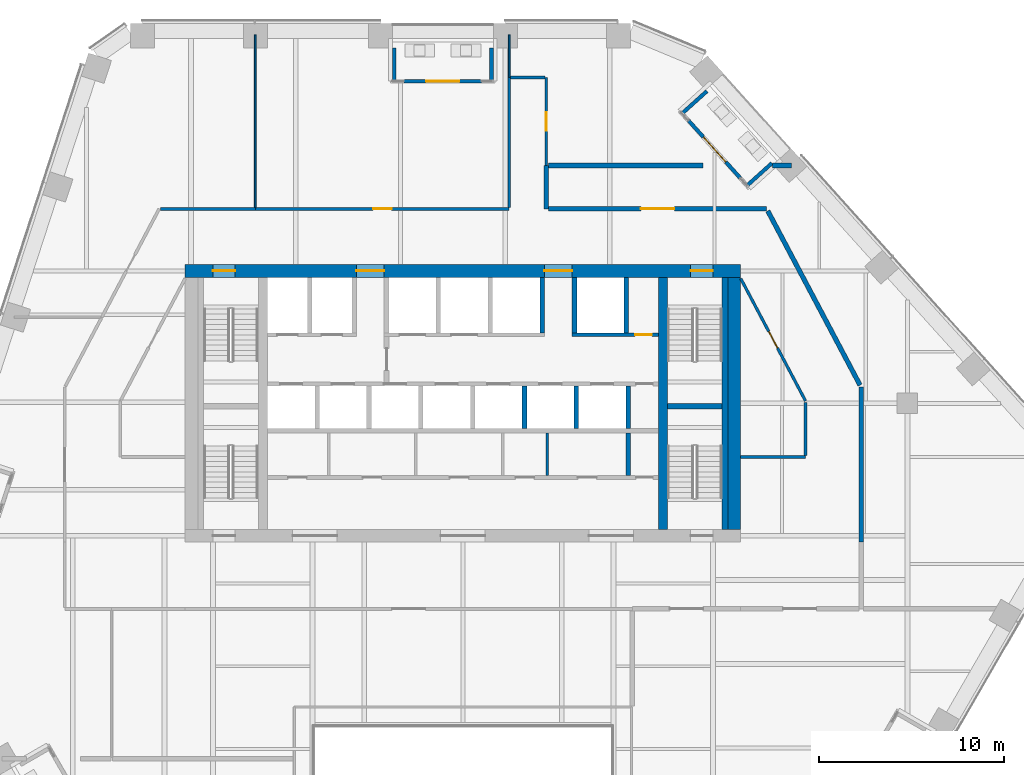
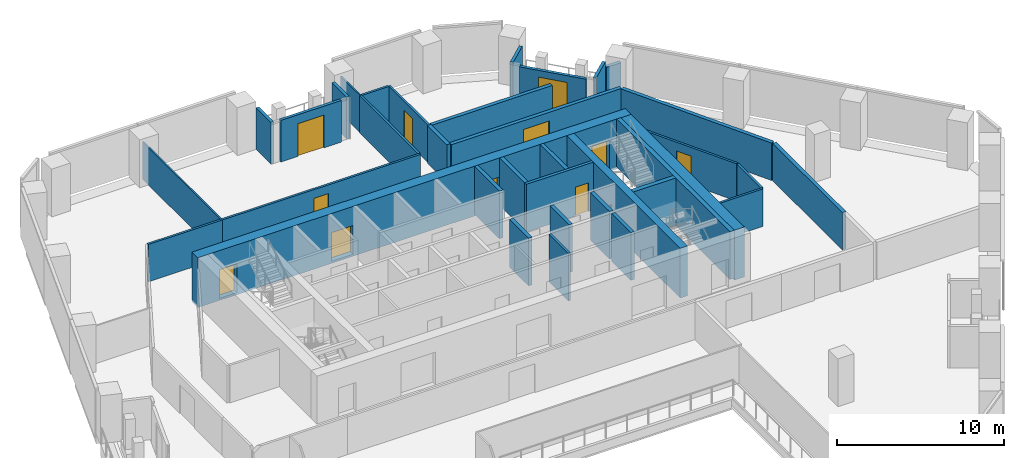
# One storey, part 20 of 25: 36 walls, 11 doors, 11 openings.
"""IFC4 building model written with IfcOpenShell, lengths in metres."""

from ifc_helpers import new_model, si_unit, direction, frame, frame_2d, origin, place, context, subcontext, project, spatial, rectangle, extrude, material, layer, layer_set, type_object, element, fill, save


model = new_model("IFC4")

# Units and contexts
model_context = context("Model", 3, precision=1e-05, world=origin(), true_north=direction((0.0, 1.0)))
body_context = subcontext(model_context, "Body", "Model", "MODEL_VIEW")
ifc_project = project(units=[si_unit("LENGTHUNIT", "METRE"), si_unit("AREAUNIT", "SQUARE_METRE"), si_unit("VOLUMEUNIT", "CUBIC_METRE"), si_unit("PLANEANGLEUNIT", "RADIAN"), si_unit("MASSUNIT", "GRAM", prefix="KILO")], contexts=[model_context])

# Site, building, storey
site_placement = place(None, origin())
site = spatial("IfcSite", under=ifc_project, at=site_placement, CompositionType="ELEMENT")
building_placement = place(site_placement, origin())
building = spatial("IfcBuilding", under=site, at=building_placement, Name="Isthmus Gate Tower", CompositionType="ELEMENT")
storey_placement = place(building_placement, frame((0.0, 0.0, 174.449951171875)))
storey = spatial("IfcBuildingStorey", under=building, at=storey_placement, Name="L43", CompositionType="ELEMENT", Elevation=174.449951171875)

# Walls
ifc_material_1 = material(Name="Double-leaf acoustic stud wall, fire-rated", Category="gypsum")
ifc_layer_1 = layer(ifc_material_1, 0.25)
ifc_layer_set_1 = layer_set([ifc_layer_1], Name="ACOUSTIC WALL 250 60 MIN")
wall_type_1 = type_object("IfcWallType", Name="ACOUSTIC WALL 250 60 MIN", PredefinedType="PARTITIONING", material=ifc_layer_set_1)
wall_1_placement = place(storey_placement, frame((4.5, 20.341064453125, 0.0), z_axis=(0.0, 0.0, 1.0), x_axis=(0.0, -1.0, 0.0)))
element("IfcWall", 1, at=wall_1_placement, inside=storey, type_object=wall_type_1, Name="L43 Acoustic Wall 250 60 Min", PredefinedType="PARTITIONING", context=body_context, shape_type="SweptSolid", body=[
    extrude(rectangle(XDim=2.341064453125, YDim=0.25, at=frame_2d((1.17041015625, 0.0))), origin(), (0.0, 0.0, 1.0), 2.7412109375),
])
wall_2_placement = place(storey_placement, frame((21.5, 8.373046875, 0.0), z_axis=(0.0, 0.0, 1.0), x_axis=(0.0, -1.0, 0.0)))
element("IfcWall", 2, at=wall_2_placement, inside=storey, type_object=wall_type_1, Name="L43 Acoustic Wall 250 60 Min", PredefinedType="PARTITIONING", context=body_context, shape_type="SweptSolid", body=[
    extrude(rectangle(XDim=8.373046875, YDim=0.25, at=frame_2d((4.1865234375, 0.0))), origin(), (0.0, 0.0, 1.0), 2.7412109375),
])
wall_3_placement = place(storey_placement, frame((4.625, 20.341064453125, 0.0), z_axis=(0.0, 0.0, 1.0), x_axis=(1.0, 0.0, 0.0)))
element("IfcWall", 3, at=wall_3_placement, inside=storey, type_object=wall_type_1, Name="L43 Acoustic Wall 250 60 Min", PredefinedType="PARTITIONING", context=body_context, shape_type="SweptSolid", body=[
    extrude(rectangle(XDim=8.338623046875, YDim=0.25, at=frame_2d((4.16943359375, 0.0))), origin(), (0.0, 0.0, 1.0), 2.7412109375),
])
wall_4_placement = place(storey_placement, frame((16.722412109375, 20.341064453125, 0.0), z_axis=(0.0, 0.0, 1.0), x_axis=(1.0, 0.0, 0.0)))
element("IfcWall", 4, at=wall_4_placement, inside=storey, type_object=wall_type_1, Name="L43 Acoustic Wall 250 60 Min", PredefinedType="PARTITIONING", context=body_context, shape_type="SweptSolid", body=[
    extrude(rectangle(XDim=1.008544921875, YDim=0.25, at=frame_2d((0.50439453125, 0.0))), origin(), (0.0, 0.0, 1.0), 2.7412109375),
])

# Wall, opening, door
wall_5_placement = place(storey_placement, frame((4.625, 18.0, 0.0), z_axis=(0.0, 0.0, 1.0), x_axis=(1.0, 0.0, 0.0)))
wall_5 = element("IfcWall", 5, at=wall_5_placement, inside=storey, type_object=wall_type_1, Name="L43 Acoustic Wall 250 60 Min", PredefinedType="PARTITIONING", context=body_context, shape_type="SweptSolid", body=[
    extrude(rectangle(XDim=11.778076171875, YDim=0.25, at=frame_2d((5.88916015625, 0.0))), origin(), (0.0, 0.0, 1.0), 2.7412109375),
])
opening_1_placement = place(wall_5_placement, frame((4.989013671875, 0.0, 0.0)))
opening_1 = element("IfcOpeningElement", 6, at=opening_1_placement, cuts=wall_5, Name="Opening DT-T4A-06", PredefinedType="OPENING", context=body_context, shape_type="SweptSolid", body=[
    extrude(rectangle(XDim=1.800048828125, YDim=2.10009765625, at=frame_2d((0.89990234375, 1.050048828125))), frame((0.0, 0.135009765625, 0.0), z_axis=(0.0, -1.0, 0.0), x_axis=(1.0, 0.0, 0.0)), (0.0, 0.0, 1.0), 0.27001953125),
])
ifc_material_2 = material(Name="Solid core timber door leaf, fire-rated", Category="wood")
door_type_1 = type_object("IfcDoorType", Name="FIRE DOOR ACOUSTIC ROOM 1800 X 2100 60 MIN", OperationType="DOUBLE_DOOR_DOUBLE_SWING", PredefinedType="DOOR", material=ifc_material_2)
door_1_placement = place(opening_1_placement, origin())
door_1 = element("IfcDoor", 7, at=door_1_placement, inside=storey, type_object=door_type_1, Name="L43 room door", OperationType="DOUBLE_DOOR_DOUBLE_SWING", OverallHeight=2.10009765625, OverallWidth=1.800048828125, PredefinedType="DOOR", context=body_context, shape_type="SweptSolid", body=[
    extrude(rectangle(XDim=1.800048828125, YDim=2.10009765625, at=frame_2d((0.89990234375, 1.050048828125))), frame((0.0, 0.02490234375, 0.0), z_axis=(0.0, -1.0, 0.0), x_axis=(1.0, 0.0, 0.0)), (0.0, 0.0, 1.0), 0.050048828125),
])
fill(opening_1, door_1)

# Wall
wall_6_placement = place(storey_placement, frame((16.46142578125, 17.889404296875, 0.0), z_axis=(0.0, 0.0, 1.0), x_axis=(0.467911961302, -0.883775082513, 0.0)))
element("IfcWall", 8, at=wall_6_placement, inside=storey, type_object=wall_type_1, Name="L43 Acoustic Wall 250 60 Min", PredefinedType="PARTITIONING", context=body_context, shape_type="SweptSolid", body=[
    extrude(rectangle(XDim=10.64306640625, YDim=0.25, at=frame_2d((5.321533203125, 0.0))), origin(), (0.0, 0.0, 1.0), 2.7412109375),
])

# Wall, opening, door
ifc_material_3 = material(Name="Gypsum board on steel studs, fire-rated", Category="steel")
ifc_layer_2 = layer(ifc_material_3, 0.14990234375)
ifc_layer_set_2 = layer_set([ifc_layer_2], Name="CORRIDOR WALL 150 60 MIN")
wall_type_2 = type_object("IfcWallType", Name="CORRIDOR WALL 150 60 MIN", PredefinedType="PARTITIONING", material=ifc_layer_set_2)
wall_7_placement = place(storey_placement, frame((4.5, 25.10009765625, 0.0), z_axis=(0.0, 0.0, 1.0), x_axis=(0.0, -1.0, 0.0)))
wall_7 = element("IfcWall", 9, at=wall_7_placement, inside=storey, type_object=wall_type_2, Name="L43 Corridor Wall 150 60 Min", PredefinedType="PARTITIONING", context=body_context, shape_type="SweptSolid", body=[
    extrude(rectangle(XDim=4.759033203125, YDim=0.14990234375, at=frame_2d((2.37939453125, 0.0))), origin(), (0.0, 0.0, 1.0), 2.7412109375),
])
opening_2_placement = place(wall_7_placement, frame((1.87939453125, 0.0, 0.0)))
opening_2 = element("IfcOpeningElement", 10, at=opening_2_placement, cuts=wall_7, Name="Opening DT-T4A-02", PredefinedType="OPENING", context=body_context, shape_type="SweptSolid", body=[
    extrude(rectangle(XDim=1.0, YDim=2.10009765625, at=frame_2d((0.5, 1.050048828125))), frame((0.0, 0.0849609375, 0.0), z_axis=(0.0, -1.0, 0.0), x_axis=(1.0, 0.0, 0.0)), (0.0, 0.0, 1.0), 0.169921875),
])
ifc_material_4 = material(Name="Solid core timber door leaf, fire-rated", Category="wood")
door_type_2 = type_object("IfcDoorType", Name="FIRE DOOR ROOM 1000 X 2100 60 MIN", OperationType="SINGLE_SWING_LEFT", PredefinedType="DOOR", material=ifc_material_4)
door_2_placement = place(opening_2_placement, origin())
door_2 = element("IfcDoor", 11, at=door_2_placement, inside=storey, type_object=door_type_2, Name="L43 room door", OperationType="SINGLE_SWING_RIGHT", OverallHeight=2.10009765625, OverallWidth=1.0, PredefinedType="DOOR", context=body_context, shape_type="SweptSolid", body=[
    extrude(rectangle(XDim=1.0, YDim=2.10009765625, at=frame_2d((0.5, 1.050048828125))), frame((0.0, 0.02490234375, 0.0), z_axis=(0.0, -1.0, 0.0), x_axis=(1.0, 0.0, 0.0)), (0.0, 0.0, 1.0), 0.050048828125),
])
fill(opening_2, door_2)

wall_8_placement = place(storey_placement, frame((18.5, 7.626953125, 0.0), z_axis=(0.0, 0.0, 1.0), x_axis=(-0.467835241243, 0.883815697446, 0.0)))
wall_8 = element("IfcWall", 12, at=wall_8_placement, inside=storey, type_object=wall_type_2, Name="L43 Corridor Wall 150 60 Min", PredefinedType="PARTITIONING", context=body_context, shape_type="SweptSolid", body=[
    extrude(rectangle(XDim=7.481201171875, YDim=0.14990234375, at=frame_2d((3.74072265625, 0.0))), origin(), (0.0, 0.0, 1.0), 2.7412109375),
])
opening_3_placement = place(wall_8_placement, frame((3.240478515625, 0.0, 0.0)))
opening_3 = element("IfcOpeningElement", 13, at=opening_3_placement, cuts=wall_8, Name="Opening DT-T4A-05", PredefinedType="OPENING", context=body_context, shape_type="SweptSolid", body=[
    extrude(rectangle(XDim=1.0, YDim=2.10009765625, at=frame_2d((0.5, 1.050048828125))), frame((0.0, 0.0849609375, 0.0), z_axis=(0.0, -1.0, 0.0), x_axis=(1.0, 0.0, 0.0)), (0.0, 0.0, 1.0), 0.169921875),
])
door_3_placement = place(opening_3_placement, origin())
door_3 = element("IfcDoor", 14, at=door_3_placement, inside=storey, type_object=door_type_2, Name="L43 room door", OperationType="SINGLE_SWING_RIGHT", OverallHeight=2.10009765625, OverallWidth=1.0, PredefinedType="DOOR", context=body_context, shape_type="SweptSolid", body=[
    extrude(rectangle(XDim=1.0, YDim=2.10009765625, at=frame_2d((0.5, 1.050048828125))), frame((0.0, 0.02490234375, 0.0), z_axis=(0.0, -1.0, 0.0), x_axis=(1.0, 0.0, 0.0)), (0.0, 0.0, 1.0), 0.050048828125),
])
fill(opening_3, door_3)

wall_9_placement = place(storey_placement, frame((-11.2119140625, 18.0, 0.0), z_axis=(0.0, 0.0, 1.0), x_axis=(1.0, 0.0, 0.0)))
wall_9 = element("IfcWall", 15, at=wall_9_placement, inside=storey, type_object=wall_type_2, Name="L43 Corridor Wall 150 60 Min", PredefinedType="PARTITIONING", context=body_context, shape_type="SweptSolid", body=[
    extrude(rectangle(XDim=13.7119140625, YDim=0.14990234375, at=frame_2d((6.85595703125, 0.0))), origin(), (0.0, 0.0, 1.0), 2.7412109375),
])
opening_4_placement = place(wall_9_placement, frame((6.35595703125, 0.0, 0.0)))
opening_4 = element("IfcOpeningElement", 16, at=opening_4_placement, cuts=wall_9, Name="Opening DT-T4A-01", PredefinedType="OPENING", context=body_context, shape_type="SweptSolid", body=[
    extrude(rectangle(XDim=1.0, YDim=2.10009765625, at=frame_2d((0.5, 1.050048828125))), frame((0.0, 0.0849609375, 0.0), z_axis=(0.0, -1.0, 0.0), x_axis=(1.0, 0.0, 0.0)), (0.0, 0.0, 1.0), 0.169921875),
])
door_4_placement = place(opening_4_placement, origin())
door_4 = element("IfcDoor", 17, at=door_4_placement, inside=storey, type_object=door_type_2, Name="L43 room door", OperationType="SINGLE_SWING_RIGHT", OverallHeight=2.10009765625, OverallWidth=1.0, PredefinedType="DOOR", context=body_context, shape_type="SweptSolid", body=[
    extrude(rectangle(XDim=1.0, YDim=2.10009765625, at=frame_2d((0.5, 1.050048828125))), frame((0.0, 0.02490234375, 0.0), z_axis=(0.0, -1.0, 0.0), x_axis=(1.0, 0.0, 0.0)), (0.0, 0.0, 1.0), 0.050048828125),
])
fill(opening_4, door_4)

# Walls
wall_10_placement = place(storey_placement, frame((2.5, 18.074951171875, 0.0), z_axis=(0.0, 0.0, 1.0), x_axis=(0.0, 1.0, 0.0)))
element("IfcWall", 18, at=wall_10_placement, inside=storey, type_object=wall_type_2, Name="L43 Corridor Wall 150 60 Min", PredefinedType="PARTITIONING", context=body_context, shape_type="SweptSolid", body=[
    extrude(rectangle(XDim=7.025146484375, YDim=0.14990234375, at=frame_2d((3.5126953125, 0.0))), origin(), (0.0, 0.0, 1.0), 2.7412109375),
])
wall_11_placement = place(storey_placement, frame((2.574951171875, 25.10009765625, 0.0), z_axis=(0.0, 0.0, 1.0), x_axis=(1.0, 0.0, 0.0)))
element("IfcWall", 19, at=wall_11_placement, inside=storey, type_object=wall_type_2, Name="L43 Corridor Wall 150 60 Min", PredefinedType="PARTITIONING", context=body_context, shape_type="SweptSolid", body=[
    extrude(rectangle(XDim=1.85009765625, YDim=0.14990234375, at=frame_2d((0.925048828125, 0.0))), origin(), (0.0, 0.0, 1.0), 2.7412109375),
])
wall_12_placement = place(storey_placement, frame((-16.327880859375, 18.0, 0.0), z_axis=(0.0, 0.0, 1.0), x_axis=(1.0, 0.0, 0.0)))
element("IfcWall", 20, at=wall_12_placement, inside=storey, type_object=wall_type_2, Name="L43 Corridor Wall 150 60 Min", PredefinedType="PARTITIONING", context=body_context, shape_type="SweptSolid", body=[
    extrude(rectangle(XDim=5.115966796875, YDim=0.14990234375, at=frame_2d((2.55810546875, 0.0))), origin(), (0.0, 0.0, 1.0), 2.7412109375),
])
wall_13_placement = place(storey_placement, frame((15.0, 4.60009765625, 0.0), z_axis=(0.0, 0.0, 1.0), x_axis=(1.0, 0.0, 0.0)))
element("IfcWall", 21, at=wall_13_placement, inside=storey, type_object=wall_type_2, Name="L43 Corridor Wall 150 60 Min", PredefinedType="PARTITIONING", context=body_context, shape_type="SweptSolid", body=[
    extrude(rectangle(XDim=3.5, YDim=0.14990234375, at=frame_2d((1.75, 0.0))), origin(), (0.0, 0.0, 1.0), 2.7412109375),
])
wall_14_placement = place(storey_placement, frame((18.5, 4.675048828125, 0.0), z_axis=(0.0, 0.0, 1.0), x_axis=(0.0, 1.0, 0.0)))
element("IfcWall", 22, at=wall_14_placement, inside=storey, type_object=wall_type_2, Name="L43 Corridor Wall 150 60 Min", PredefinedType="PARTITIONING", context=body_context, shape_type="SweptSolid", body=[
    extrude(rectangle(XDim=2.876953125, YDim=0.14990234375, at=frame_2d((1.4384765625, 0.0))), origin(), (0.0, 0.0, 1.0), 2.7412109375),
])

# Wall, opening, door
ifc_material_5 = material(Name="Precast concrete C40/50", Category="concrete")
ifc_layer_3 = layer(ifc_material_5, 0.199951171875)
ifc_layer_set_3 = layer_set([ifc_layer_3], Name="LOGGIA WALL 200")
wall_type_3 = type_object("IfcWallType", Name="LOGGIA WALL 200", PredefinedType="SOLIDWALL", material=ifc_layer_set_3)
wall_15_placement = place(storey_placement, frame((1.013427734375, 24.89990234375, 0.0), z_axis=(0.0, 0.0, 1.0), x_axis=(-1.0, 0.0, 0.0)))
wall_15 = element("IfcWall", 23, at=wall_15_placement, inside=storey, type_object=wall_type_3, Name="LOGGIA BACK WALL", PredefinedType="SOLIDWALL", context=body_context, shape_type="SweptSolid", body=[
    extrude(rectangle(XDim=4.199951171875, YDim=0.199951171875, at=frame_2d((2.10009765625, 0.0))), origin(), (0.0, 0.0, 1.0), 3.050048828125),
])
opening_5_placement = place(wall_15_placement, frame((1.199951171875, 0.0, 0.0)))
opening_5 = element("IfcOpeningElement", 24, at=opening_5_placement, cuts=wall_15, Name="Opening DE43-01", PredefinedType="OPENING", context=body_context, shape_type="SweptSolid", body=[
    extrude(rectangle(XDim=1.800048828125, YDim=2.39990234375, at=frame_2d((0.89990234375, 1.199951171875))), frame((0.0, 0.10986328125, 0.0), z_axis=(0.0, -1.0, 0.0), x_axis=(1.0, 0.0, 0.0)), (0.0, 0.0, 1.0), 0.219970703125),
])
ifc_material_6 = material(Name="Aluminium, pale champagne anodised, laminated glass", Category="aluminium")
door_type_3 = type_object("IfcDoorType", Name="LOGGIA DOOR SLIDING 1800 X 2400", OperationType="DOUBLE_DOOR_SLIDING", PredefinedType="DOOR", material=ifc_material_6)
door_5_placement = place(opening_5_placement, origin())
door_5 = element("IfcDoor", 25, at=door_5_placement, inside=storey, type_object=door_type_3, Name="DOOR DE43-01", OperationType="SINGLE_SWING_LEFT", OverallHeight=2.39990234375, OverallWidth=1.800048828125, PredefinedType="DOOR", context=body_context, shape_type="SweptSolid", body=[
    extrude(rectangle(XDim=1.800048828125, YDim=2.39990234375, at=frame_2d((0.89990234375, 1.199951171875))), frame((0.0, 0.02490234375, 0.0), z_axis=(0.0, -1.0, 0.0), x_axis=(1.0, 0.0, 0.0)), (0.0, 0.0, 1.0), 0.050048828125),
])
fill(opening_5, door_5)

# Walls
for number, where, z_axis, x_axis, name in (
    (26, (1.538330078125, 26.699951171875, 0.0), (0.0, 0.0, 1.0), (0.0, -1.0, 0.0), "LOGGIA SIDE WALL"),
    (27, (-3.711669921875, 26.699951171875, 0.0), (0.0, 0.0, 1.0), (0.0, -1.0, 0.0), "LOGGIA SIDE WALL"),
):
    element("IfcWall", number, at=place(storey_placement, frame(where, z_axis=z_axis, x_axis=x_axis)), inside=storey, type_object=wall_type_3, Name=name, PredefinedType="SOLIDWALL", context=body_context, shape_type="SweptSolid", body=[
        extrude(rectangle(XDim=1.783935546875, YDim=0.199951171875, at=frame_2d((0.89208984375, 0.0))), origin(), (0.0, 0.0, 1.0), 3.050048828125),
    ])

# Wall, opening, door
wall_16_placement = place(storey_placement, frame((14.993408203125, 19.646240234375, 0.0), z_axis=(0.0, 0.0, 1.0), x_axis=(-0.669138140895, 0.743138041282, 0.0)))
wall_16 = element("IfcWall", 28, at=wall_16_placement, inside=storey, type_object=wall_type_3, Name="LOGGIA BACK WALL", PredefinedType="SOLIDWALL", context=body_context, shape_type="SweptSolid", body=[
    extrude(rectangle(XDim=4.199951171875, YDim=0.199951171875, at=frame_2d((2.10009765625, 0.0))), origin(), (0.0, 0.0, 1.0), 2.896728515625),
])
opening_6_placement = place(wall_16_placement, frame((1.199951171875, 0.0, 0.0)))
opening_6 = element("IfcOpeningElement", 29, at=opening_6_placement, cuts=wall_16, Name="Opening DE43-05", PredefinedType="OPENING", context=body_context, shape_type="SweptSolid", body=[
    extrude(rectangle(XDim=1.800048828125, YDim=2.39990234375, at=frame_2d((0.89990234375, 1.199951171875))), frame((0.0, 0.10986328125, 0.0), z_axis=(0.0, -1.0, 0.0), x_axis=(1.0, 0.0, 0.0)), (0.0, 0.0, 1.0), 0.219970703125),
])
door_6_placement = place(opening_6_placement, origin())
door_6 = element("IfcDoor", 30, at=door_6_placement, inside=storey, type_object=door_type_3, Name="DOOR DE43-05", OperationType="SINGLE_SWING_LEFT", OverallHeight=2.39990234375, OverallWidth=1.800048828125, PredefinedType="DOOR", context=body_context, shape_type="SweptSolid", body=[
    extrude(rectangle(XDim=1.800048828125, YDim=2.39990234375, at=frame_2d((0.89990234375, 1.199951171875))), frame((0.0, 0.02490234375, 0.0), z_axis=(0.0, -1.0, 0.0), x_axis=(1.0, 0.0, 0.0)), (0.0, 0.0, 1.0), 0.050048828125),
])
fill(opening_6, door_6)

# Walls
wall_17_placement = place(storey_placement, frame((16.67919921875, 20.4638671875, 0.0), z_axis=(0.0, 0.0, 1.0), x_axis=(-0.743158025489, -0.66911594597, 0.0)))
element("IfcWall", 31, at=wall_17_placement, inside=storey, type_object=wall_type_3, Name="LOGGIA SIDE WALL", PredefinedType="SOLIDWALL", context=body_context, shape_type="SweptSolid", body=[
    extrude(rectangle(XDim=1.783935546875, YDim=0.199951171875, at=frame_2d((0.89208984375, 0.0))), origin(), (0.0, 0.0, 1.0), 3.050048828125),
])
wall_18_placement = place(storey_placement, frame((13.172607421875, 24.358642578125, 0.0), z_axis=(0.0, 0.0, 1.0), x_axis=(-0.743151246267, -0.66912347528, 0.0)))
element("IfcWall", 32, at=wall_18_placement, inside=storey, type_object=wall_type_3, Name="LOGGIA SIDE WALL", PredefinedType="SOLIDWALL", context=body_context, shape_type="SweptSolid", body=[
    extrude(rectangle(XDim=1.7841796875, YDim=0.199951171875, at=frame_2d((0.89208984375, 0.0))), origin(), (0.0, 0.0, 1.0), 3.050048828125),
])
ifc_material_7 = material(Name="Concrete f'c 60 MPa", Category="concrete")
ifc_layer_4 = layer(ifc_material_7, 0.5)
ifc_layer_set_4 = layer_set([ifc_layer_4], Name="RC CORE SPINE WALL 500 F'C 60")
wall_type_4 = type_object("IfcWallType", Name="RC CORE SPINE WALL 500 F'C 60", PredefinedType="SOLIDWALL", material=ifc_layer_set_4)
wall_19_placement = place(storey_placement, frame((10.800048828125, 0.699951171875, -0.14990234375), z_axis=(0.0, 0.0, 1.0), x_axis=(0.0, 1.0, 0.0)))
element("IfcWall", 33, at=wall_19_placement, inside=storey, type_object=wall_type_4, Name="str-corewall-L43-SPE", PredefinedType="SOLIDWALL", context=body_context, shape_type="SweptSolid", body=[
    extrude(rectangle(XDim=13.60009765625, YDim=0.5, at=frame_2d((6.800048828125, 0.0))), origin(), (0.0, 0.0, 1.0), 3.64990234375),
])

# Wall, openings, doors
ifc_material_8 = material(Name="Concrete f'c 60 MPa", Category="concrete")
ifc_layer_5 = layer(ifc_material_8, 0.699951171875)
ifc_layer_set_5 = layer_set([ifc_layer_5], Name="RC CORE WALL 700 F'C 60")
wall_type_5 = type_object("IfcWallType", Name="RC CORE WALL 700 F'C 60", PredefinedType="SOLIDWALL", material=ifc_layer_set_5)
wall_20_placement = place(storey_placement, frame((-15.0, 14.64990234375, -0.14990234375), z_axis=(0.0, 0.0, 1.0), x_axis=(1.0, 0.0, 0.0)))
wall_20 = element("IfcWall", 34, at=wall_20_placement, inside=storey, type_object=wall_type_5, Name="str-corewall-L43-N", PredefinedType="SOLIDWALL", context=body_context, shape_type="SweptSolid", body=[
    extrude(rectangle(XDim=30.0, YDim=0.699951171875, at=frame_2d((15.0, 0.0))), origin(), (0.0, 0.0, 1.0), 3.64990234375),
])
opening_7_placement = place(wall_20_placement, frame((9.25, 0.0, 0.14990234375)))
opening_7 = element("IfcOpeningElement", 35, at=opening_7_placement, cuts=wall_20, Name="Opening DC-A10-13", PredefinedType="OPENING", context=body_context, shape_type="SweptSolid", body=[
    extrude(rectangle(XDim=1.5, YDim=2.10009765625, at=frame_2d((0.75, 1.050048828125))), frame((0.0, 0.35986328125, 0.0), z_axis=(0.0, -1.0, 0.0), x_axis=(1.0, 0.0, 0.0)), (0.0, 0.0, 1.0), 0.719970703125),
])
opening_8_placement = place(wall_20_placement, frame((19.39990234375, 0.0, 0.14990234375)))
opening_8 = element("IfcOpeningElement", 36, at=opening_8_placement, cuts=wall_20, Name="Opening DC-A10-14", PredefinedType="OPENING", context=body_context, shape_type="SweptSolid", body=[
    extrude(rectangle(XDim=1.5, YDim=2.10009765625, at=frame_2d((0.75, 1.050048828125))), frame((0.0, 0.35986328125, 0.0), z_axis=(0.0, -1.0, 0.0), x_axis=(1.0, 0.0, 0.0)), (0.0, 0.0, 1.0), 0.719970703125),
])
opening_9_placement = place(wall_20_placement, frame((1.5, 0.0, 0.14990234375)))
opening_9 = element("IfcOpeningElement", 37, at=opening_9_placement, cuts=wall_20, Name="Opening DC-A10-15", PredefinedType="OPENING", context=body_context, shape_type="SweptSolid", body=[
    extrude(rectangle(XDim=1.199951171875, YDim=2.10009765625, at=frame_2d((0.60009765625, 1.050048828125))), frame((0.0, 0.35986328125, 0.0), z_axis=(0.0, -1.0, 0.0), x_axis=(1.0, 0.0, 0.0)), (0.0, 0.0, 1.0), 0.719970703125),
])
opening_10_placement = place(wall_20_placement, frame((27.300048828125, 0.0, 0.14990234375)))
opening_10 = element("IfcOpeningElement", 38, at=opening_10_placement, cuts=wall_20, Name="Opening DC-A10-16", PredefinedType="OPENING", context=body_context, shape_type="SweptSolid", body=[
    extrude(rectangle(XDim=1.199951171875, YDim=2.10009765625, at=frame_2d((0.60009765625, 1.050048828125))), frame((0.0, 0.35986328125, 0.0), z_axis=(0.0, -1.0, 0.0), x_axis=(1.0, 0.0, 0.0)), (0.0, 0.0, 1.0), 0.719970703125),
])
ifc_material_9 = material(Name="Steel door leaf, fire-rated", Category="steel")
door_type_4 = type_object("IfcDoorType", Name="LOBBY FIRE DOOR 1500 X 2100 60 MIN", OperationType="DOUBLE_DOOR_SINGLE_SWING", PredefinedType="DOOR", material=ifc_material_9)
door_7_placement = place(opening_8_placement, origin())
door_7 = element("IfcDoor", 39, at=door_7_placement, inside=storey, type_object=door_type_4, Name="Lobby Door PN-E", OperationType="DOUBLE_DOOR_SINGLE_SWING", OverallHeight=2.10009765625, OverallWidth=1.5, PredefinedType="DOOR", context=body_context, shape_type="SweptSolid", body=[
    extrude(rectangle(XDim=1.5, YDim=2.10009765625, at=frame_2d((0.75, 1.050048828125))), frame((0.0, 0.02490234375, 0.0), z_axis=(0.0, -1.0, 0.0), x_axis=(1.0, 0.0, 0.0)), (0.0, 0.0, 1.0), 0.050048828125),
])
fill(opening_8, door_7)
ifc_material_10 = material(Name="Steel door leaf, fire-rated", Category="steel")
door_type_5 = type_object("IfcDoorType", Name="LOBBY FIRE DOOR 1500 X 2100 90 MIN", OperationType="DOUBLE_DOOR_SINGLE_SWING", PredefinedType="DOOR", material=ifc_material_10)
door_8_placement = place(opening_7_placement, origin())
door_8 = element("IfcDoor", 40, at=door_8_placement, inside=storey, type_object=door_type_5, Name="Lobby Door PN-W", OperationType="DOUBLE_DOOR_SINGLE_SWING", OverallHeight=2.10009765625, OverallWidth=1.5, PredefinedType="DOOR", context=body_context, shape_type="SweptSolid", body=[
    extrude(rectangle(XDim=1.5, YDim=2.10009765625, at=frame_2d((0.75, 1.050048828125))), frame((0.0, 0.02490234375, 0.0), z_axis=(0.0, -1.0, 0.0), x_axis=(1.0, 0.0, 0.0)), (0.0, 0.0, 1.0), 0.050048828125),
])
fill(opening_7, door_8)
ifc_material_11 = material(Name="Steel door leaf, fire-rated", Category="steel")
door_type_6 = type_object("IfcDoorType", Name="STAIR FIRE DOOR 1200 X 2100 90 MIN", OperationType="SINGLE_SWING_LEFT", PredefinedType="DOOR", material=ifc_material_11)
door_9_placement = place(opening_9_placement, origin())
door_9 = element("IfcDoor", 41, at=door_9_placement, inside=storey, type_object=door_type_6, Name="Exit Stair 1 Door", OperationType="SINGLE_SWING_RIGHT", OverallHeight=2.10009765625, OverallWidth=1.199951171875, PredefinedType="DOOR", context=body_context, shape_type="SweptSolid", body=[
    extrude(rectangle(XDim=1.199951171875, YDim=2.10009765625, at=frame_2d((0.60009765625, 1.050048828125))), frame((0.0, 0.02490234375, 0.0), z_axis=(0.0, -1.0, 0.0), x_axis=(1.0, 0.0, 0.0)), (0.0, 0.0, 1.0), 0.050048828125),
])
fill(opening_9, door_9)
door_10_placement = place(opening_10_placement, origin())
door_10 = element("IfcDoor", 42, at=door_10_placement, inside=storey, type_object=door_type_6, Name="Exit Stair 2 Door", OperationType="SINGLE_SWING_LEFT", OverallHeight=2.10009765625, OverallWidth=1.199951171875, PredefinedType="DOOR", context=body_context, shape_type="SweptSolid", body=[
    extrude(rectangle(XDim=1.199951171875, YDim=2.10009765625, at=frame_2d((0.60009765625, 1.050048828125))), frame((0.0, 0.02490234375, 0.0), z_axis=(0.0, -1.0, 0.0), x_axis=(1.0, 0.0, 0.0)), (0.0, 0.0, 1.0), 0.050048828125),
])
fill(opening_10, door_10)

# Walls
wall_21_placement = place(storey_placement, frame((14.64990234375, 0.699951171875, -0.14990234375), z_axis=(0.0, 0.0, 1.0), x_axis=(0.0, 1.0, 0.0)))
element("IfcWall", 43, at=wall_21_placement, inside=storey, type_object=wall_type_5, Name="str-corewall-L43-E", PredefinedType="SOLIDWALL", context=body_context, shape_type="SweptSolid", body=[
    extrude(rectangle(XDim=13.60009765625, YDim=0.699951171875, at=frame_2d((6.800048828125, 0.0))), origin(), (0.0, 0.0, 1.0), 3.64990234375),
])
ifc_material_12 = material(Name="Gypsum board on steel studs, fire-rated", Category="steel")
ifc_layer_6 = layer(ifc_material_12, 0.10009765625)
ifc_layer_set_6 = layer_set([ifc_layer_6], Name="ROOM PARTITION 100 30 MIN")
wall_type_6 = type_object("IfcWallType", Name="ROOM PARTITION 100 30 MIN", PredefinedType="PARTITIONING", material=ifc_layer_set_6)
wall_22_placement = place(storey_placement, frame((2.5, 25.10009765625, 0.0), z_axis=(0.0, 0.0, 1.0), x_axis=(0.0, 1.0, 0.0)))
element("IfcWall", 44, at=wall_22_placement, inside=storey, type_object=wall_type_6, Name="L43 Room Partition 100 30 Min", PredefinedType="PARTITIONING", context=body_context, shape_type="SweptSolid", body=[
    extrude(rectangle(XDim=2.2998046875, YDim=0.10009765625, at=frame_2d((1.14990234375, 0.0))), origin(), (0.0, 0.0, 1.0), 2.7412109375),
])
wall_23_placement = place(storey_placement, frame((-11.2119140625, 18.074951171875, 0.0), z_axis=(0.0, 0.0, 1.0), x_axis=(0.0, 1.0, 0.0)))
element("IfcWall", 45, at=wall_23_placement, inside=storey, type_object=wall_type_6, Name="L43 Room Partition 100 30 Min", PredefinedType="PARTITIONING", context=body_context, shape_type="SweptSolid", body=[
    extrude(rectangle(XDim=9.324951171875, YDim=0.10009765625, at=frame_2d((4.66259765625, 0.0))), origin(), (0.0, 0.0, 1.0), 2.7412109375),
])
ifc_material_13 = material(Name="Gypsum board on steel studs, fire-rated", Category="steel")
ifc_layer_7 = layer(ifc_material_13, 0.14990234375)
ifc_layer_set_7 = layer_set([ifc_layer_7], Name="ROOM PARTITION 150 60 MIN")
wall_type_7 = type_object("IfcWallType", Name="ROOM PARTITION 150 60 MIN", PredefinedType="PARTITIONING", material=ifc_layer_set_7)
wall_24_placement = place(storey_placement, frame((4.550048828125, 3.60009765625, 0.0), z_axis=(0.0, 0.0, 1.0), x_axis=(0.0, 1.0, 0.0)))
element("IfcWall", 46, at=wall_24_placement, inside=storey, type_object=wall_type_7, Name="L43 ROOM PARTITION 150 60 MIN", PredefinedType="PARTITIONING", context=body_context, shape_type="SweptSolid", body=[
    extrude(rectangle(XDim=2.2998046875, YDim=0.14990234375, at=frame_2d((1.14990234375, 0.0))), origin(), (0.0, 0.0, 1.0), 3.5),
])

# Wall, opening, door
ifc_material_14 = material(Name="Fire-rated blockwork masonry, 15 MPa", Category="masonry")
ifc_layer_8 = layer(ifc_material_14, 0.199951171875)
ifc_layer_set_8 = layer_set([ifc_layer_8], Name="SHAFT FRONT WALL 200 120 MIN")
wall_type_8 = type_object("IfcWallType", Name="SHAFT FRONT WALL 200 120 MIN", PredefinedType="PARTITIONING", material=ifc_layer_set_8)
wall_25_placement = place(storey_placement, frame((5.89990234375, 11.199951171875, 0.0), z_axis=(0.0, 0.0, 1.0), x_axis=(1.0, 0.0, 0.0)))
wall_25 = element("IfcWall", 47, at=wall_25_placement, inside=storey, type_object=wall_type_8, Name="L43 SHAFT FRONT WALL 200 120 MIN", PredefinedType="PARTITIONING", context=body_context, shape_type="SweptSolid", body=[
    extrude(rectangle(XDim=4.650146484375, YDim=0.199951171875, at=frame_2d((2.3251953125, 0.0))), origin(), (0.0, 0.0, 1.0), 3.5),
])
opening_11_placement = place(wall_25_placement, frame((3.39990234375, 0.0, 0.0)))
opening_11 = element("IfcOpeningElement", 48, at=opening_11_placement, cuts=wall_25, Name="Opening DC-A10-09", PredefinedType="OPENING", context=body_context, shape_type="SweptSolid", body=[
    extrude(rectangle(XDim=0.89990234375, YDim=2.10009765625, at=frame_2d((0.449951171875, 1.050048828125))), frame((0.0, 0.10986328125, 0.0), z_axis=(0.0, -1.0, 0.0), x_axis=(1.0, 0.0, 0.0)), (0.0, 0.0, 1.0), 0.219970703125),
])
ifc_material_15 = material(Name="Steel door leaf, fire-rated", Category="steel")
door_type_7 = type_object("IfcDoorType", Name="RISER FIRE DOOR 900 X 2100 90 MIN", OperationType="SINGLE_SWING_LEFT", PredefinedType="DOOR", material=ifc_material_15)
door_11_placement = place(opening_11_placement, origin())
door_11 = element("IfcDoor", 49, at=door_11_placement, inside=storey, type_object=door_type_7, Name="Riser Door", OperationType="SINGLE_SWING_LEFT", OverallHeight=2.10009765625, OverallWidth=0.89990234375, PredefinedType="DOOR", context=body_context, shape_type="SweptSolid", body=[
    extrude(rectangle(XDim=0.89990234375, YDim=2.10009765625, at=frame_2d((0.449951171875, 1.050048828125))), frame((0.0, 0.02490234375, 0.0), z_axis=(0.0, -1.0, 0.0), x_axis=(1.0, 0.0, 0.0)), (0.0, 0.0, 1.0), 0.050048828125),
])
fill(opening_11, door_11)

# Walls
ifc_material_16 = material(Name="Fire-rated blockwork masonry, 15 MPa", Category="masonry")
ifc_layer_9 = layer(ifc_material_16, 0.25)
ifc_layer_set_9 = layer_set([ifc_layer_9], Name="SHAFT WALL 250 120 MIN")
wall_type_9 = type_object("IfcWallType", Name="SHAFT WALL 250 120 MIN", PredefinedType="PARTITIONING", material=ifc_layer_set_9)
wall_26_placement = place(storey_placement, frame((8.925048828125, 3.60009765625, 0.0), z_axis=(0.0, 0.0, 1.0), x_axis=(0.0, 1.0, 0.0)))
element("IfcWall", 50, at=wall_26_placement, inside=storey, type_object=wall_type_9, Name="L43 SHAFT WALL 250 120 MIN", PredefinedType="PARTITIONING", context=body_context, shape_type="SweptSolid", body=[
    extrude(rectangle(XDim=2.2998046875, YDim=0.25, at=frame_2d((1.14990234375, 0.0))), origin(), (0.0, 0.0, 1.0), 3.5),
])
for number, where, z_axis, x_axis, name in (
    (51, (3.324951171875, 6.14990234375, 0.0), (0.0, 0.0, 1.0), (0.0, 1.0, 0.0), "L43 SHAFT WALL 250 120 MIN"),
    (52, (6.125, 6.14990234375, 0.0), (0.0, 0.0, 1.0), (0.0, 1.0, 0.0), "L43 SHAFT WALL 250 120 MIN"),
    (53, (8.925048828125, 6.14990234375, 0.0), (0.0, 0.0, 1.0), (0.0, 1.0, 0.0), "L43 SHAFT WALL 250 120 MIN"),
):
    element("IfcWall", number, at=place(storey_placement, frame(where, z_axis=z_axis, x_axis=x_axis)), inside=storey, type_object=wall_type_9, Name=name, PredefinedType="PARTITIONING", context=body_context, shape_type="SweptSolid", body=[
        extrude(rectangle(XDim=2.300048828125, YDim=0.25, at=frame_2d((1.14990234375, 0.0))), origin(), (0.0, 0.0, 1.0), 3.5),
    ])
for number, where, z_axis, x_axis, name in (
    (54, (4.27490234375, 11.300048828125, 0.0), (0.0, 0.0, 1.0), (0.0, 1.0, 0.0), "L43 SHAFT WALL 250 120 MIN"),
    (55, (6.02490234375, 11.300048828125, 0.0), (0.0, 0.0, 1.0), (0.0, 1.0, 0.0), "L43 SHAFT WALL 250 120 MIN"),
    (56, (8.824951171875, 11.300048828125, 0.0), (0.0, 0.0, 1.0), (0.0, 1.0, 0.0), "L43 SHAFT WALL 250 120 MIN"),
):
    element("IfcWall", number, at=place(storey_placement, frame(where, z_axis=z_axis, x_axis=x_axis)), inside=storey, type_object=wall_type_9, Name=name, PredefinedType="PARTITIONING", context=body_context, shape_type="SweptSolid", body=[
        extrude(rectangle(XDim=3.0, YDim=0.25, at=frame_2d((1.5, 0.0))), origin(), (0.0, 0.0, 1.0), 3.5),
    ])
ifc_material_17 = material(Name="Concrete f'c 40 MPa", Category="concrete")
ifc_layer_10 = layer(ifc_material_17, 0.300048828125)
ifc_layer_set_10 = layer_set([ifc_layer_10], Name="STAIR ENCLOSURE WALL 300 180 MIN")
wall_type_10 = type_object("IfcWallType", Name="STAIR ENCLOSURE WALL 300 180 MIN", PredefinedType="SOLIDWALL", material=ifc_layer_set_10)
wall_27_placement = place(storey_placement, frame((11.050048828125, 7.35009765625, 0.0), z_axis=(0.0, 0.0, 1.0), x_axis=(1.0, 0.0, 0.0)))
element("IfcWall", 57, at=wall_27_placement, inside=storey, type_object=wall_type_10, Name="L43 STAIR ENCLOSURE WALL 300 180 MIN", PredefinedType="SOLIDWALL", context=body_context, shape_type="SweptSolid", body=[
    extrude(rectangle(XDim=2.949951171875, YDim=0.300048828125, at=frame_2d((1.47509765625, 0.0))), origin(), (0.0, 0.0, 1.0), 3.5),
])
wall_28_placement = place(storey_placement, frame((14.14990234375, 0.699951171875, 0.0), z_axis=(0.0, 0.0, 1.0), x_axis=(0.0, 1.0, 0.0)))
element("IfcWall", 58, at=wall_28_placement, inside=storey, type_object=wall_type_10, Name="L43 STAIR ENCLOSURE WALL 300 180 MIN", PredefinedType="SOLIDWALL", context=body_context, shape_type="SweptSolid", body=[
    extrude(rectangle(XDim=13.60009765625, YDim=0.300048828125, at=frame_2d((6.800048828125, 0.0))), origin(), (0.0, 0.0, 1.0), 3.5),
])

save(model, "model.ifc")
